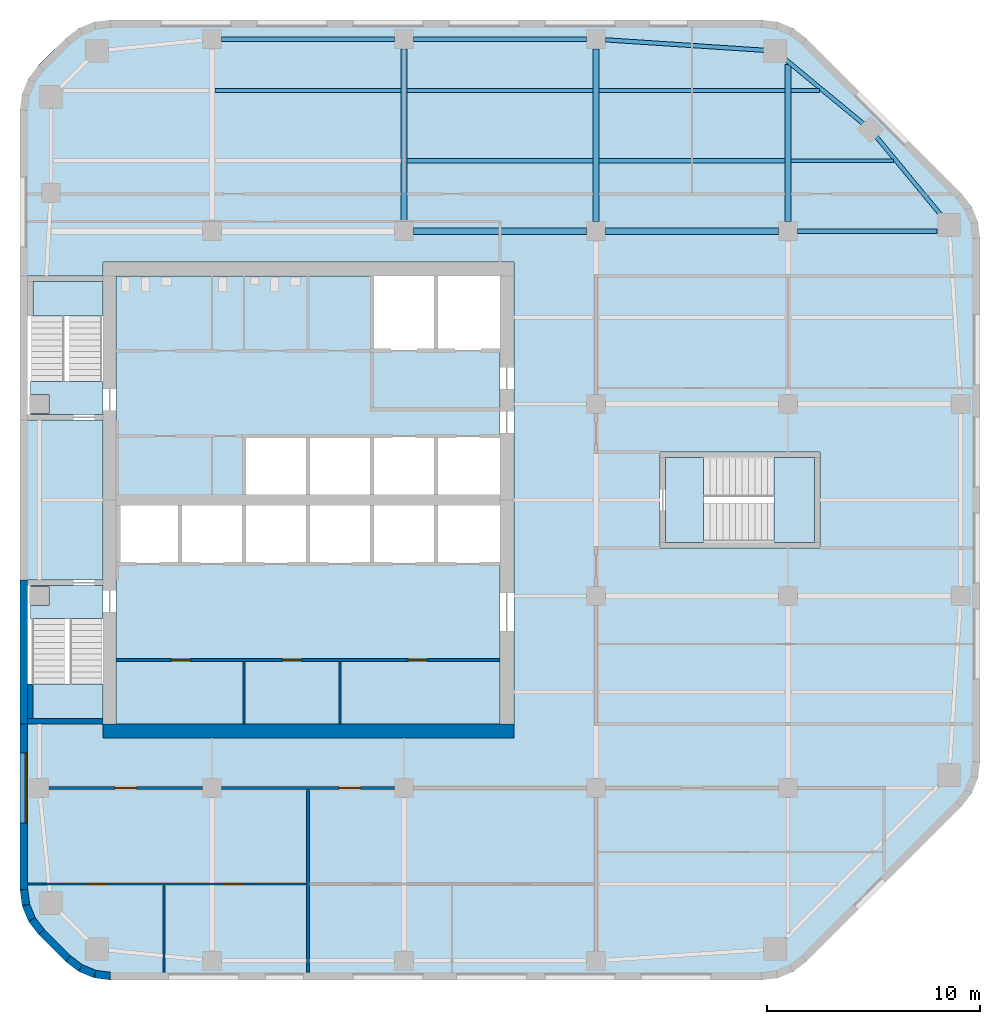
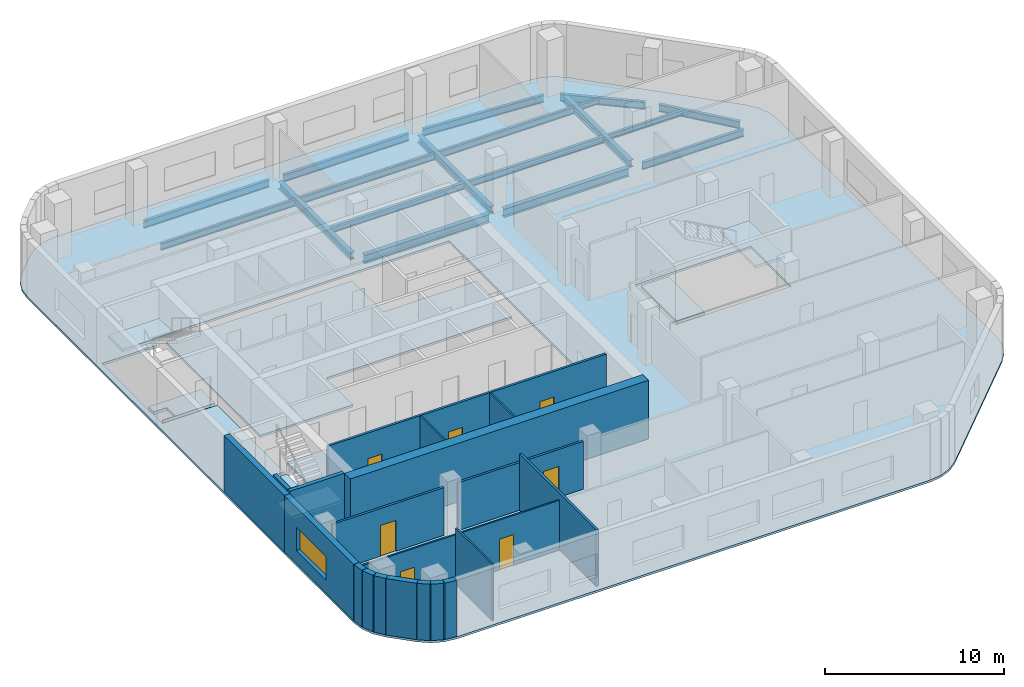
# One storey, part 2 of 8: 20 walls, 18 beams, 9 slabs, 7 doors, 1 window, 8 openings, 3 elements without a shape of their own.
"""IFC4 building model written with IfcOpenShell, lengths in metres."""

import ifcopenshell
import ifcopenshell.guid

model = None  # the IFC model being written
_history = None  # IfcOwnerHistory: only IFC2X3 demands one
_inside = {}  # id of a spatial element -> (the spatial element, [elements in it])
_under = {}  # id of a project, library or spatial element -> (it, [spatial elements below it])
_declared = {}  # id of a project -> (the project, [libraries it declares])
_typed = {}  # id of a type object -> (the type object, [elements of that type])
_made_of = {}  # id of a material, layer set ... -> (it, [elements and type objects made of it])


def new_model(schema):
    """Start an empty IFC model of exactly this schema.

    Asked for "IFC4X3", IfcOpenShell would pick the latest addendum, in which some entities
    have other attributes; the version numbers below select the first issue.
    IFC2X3 requires an IfcOwnerHistory on every rooted entity: one is made here for all.
    """
    global model, _history
    if schema == "IFC4X3":
        model = ifcopenshell.file(schema_version=(4, 3, 0, 0))
    else:
        model = ifcopenshell.file(schema=schema)
    _inside.clear()
    _under.clear()
    _declared.clear()
    _typed.clear()
    _made_of.clear()
    _history = None
    if model.schema == "IFC2X3":
        org = make("IfcOrganization", Name="unknown")
        user = make(
            "IfcPersonAndOrganization",
            ThePerson=make("IfcPerson", FamilyName="unknown"),
            TheOrganization=org,
        )
        app = make(
            "IfcApplication",
            ApplicationDeveloper=org,
            Version="unknown",
            ApplicationFullName="unknown",
            ApplicationIdentifier="unknown",
        )
        _history = make(
            "IfcOwnerHistory",
            OwningUser=user,
            OwningApplication=app,
            ChangeAction="ADDED",
            CreationDate=0,
        )
    return model


def make(cls, **values):
    """One entity of the class cls with the attributes given. An attribute that is None is left unset."""
    return model.create_entity(
        cls, **{name: value for name, value in values.items() if value is not None}
    )


def rooted(cls, **values):
    """An entity with a GlobalId (a new one), such as an element, a storey or a relation."""
    return make(cls, GlobalId=ifcopenshell.guid.new(), OwnerHistory=_history, **values)


def si_unit(unit_type, name, prefix=None):
    """IfcSIUnit, for example si_unit("LENGTHUNIT", "METRE", prefix="MILLI")."""
    return make("IfcSIUnit", UnitType=unit_type, Prefix=prefix, Name=name)


def assignment(units):
    """IfcUnitAssignment: the units of a project."""
    return None if units is None else make("IfcUnitAssignment", Units=units)


def point(xyz):
    """IfcCartesianPoint."""
    return None if xyz is None else make("IfcCartesianPoint", Coordinates=xyz)


def direction(xyz):
    """IfcDirection."""
    return None if xyz is None else make("IfcDirection", DirectionRatios=xyz)


def frame(location, z_axis=None, x_axis=None):
    """IfcAxis2Placement3D, a coordinate frame: its origin and axes. An axis left out is left unset."""
    return make(
        "IfcAxis2Placement3D",
        Location=point(location),
        Axis=direction(z_axis),
        RefDirection=direction(x_axis),
    )


def frame_2d(location, x_axis=None):
    """IfcAxis2Placement2D, a coordinate frame in the plane: its origin and x axis."""
    return make(
        "IfcAxis2Placement2D", Location=point(location), RefDirection=direction(x_axis)
    )


def origin():
    """The frame at (0, 0, 0) with its axes left unset."""
    return frame((0.0, 0.0, 0.0))


def origin_2d():
    """The frame at (0, 0) in the plane with its x axis left unset."""
    return frame_2d((0.0, 0.0))


def place(relative_to, where):
    """IfcLocalPlacement: puts the frame where relative to a parent placement (None: the world)."""
    return make(
        "IfcLocalPlacement", PlacementRelTo=relative_to, RelativePlacement=where
    )


def context(
    kind, dimensions, precision=None, world=None, true_north=None, identifier=None
):
    """IfcGeometricRepresentationContext, for example the 3D "Model" context."""
    return make(
        "IfcGeometricRepresentationContext",
        ContextIdentifier=identifier,
        ContextType=kind,
        CoordinateSpaceDimension=dimensions,
        Precision=precision,
        WorldCoordinateSystem=world,
        TrueNorth=true_north,
    )


def subcontext(parent, identifier, kind, view, scale=None):
    """IfcGeometricRepresentationSubContext, for example "Body" below "Model"."""
    return make(
        "IfcGeometricRepresentationSubContext",
        ContextIdentifier=identifier,
        ContextType=kind,
        ParentContext=parent,
        TargetScale=scale,
        TargetView=view,
    )


def project(units=None, contexts=None):
    """IfcProject with its units and contexts."""
    return rooted(
        "IfcProject",
        Name="project",
        RepresentationContexts=contexts,
        UnitsInContext=assignment(units),
    )


def spatial(cls, under=None, at=None, **own):
    """A site, building, storey or space (cls), placed at a placement, below another one or the project."""
    s = rooted(cls, ObjectPlacement=at, **own)
    if under is not None:
        _under.setdefault(under.id(), (under, []))[1].append(s)
    return s


def polyline(points):
    """IfcPolyline through the points."""
    return make("IfcPolyline", Points=[point(p) for p in points])


def profile(cls, at=None, kind="AREA", **sizes):
    """A parametric profile (cls). Its sizes go by their IFC names, for example OverallWidth=200.0."""
    return make(cls, ProfileType=kind, Position=at, **sizes)


def rectangle(**sizes):
    """IfcRectangleProfileDef."""
    return profile("IfcRectangleProfileDef", **sizes)


def i_section(**sizes):
    """IfcIShapeProfileDef."""
    return profile("IfcIShapeProfileDef", **sizes)


def outline(outer, holes=None, kind="AREA"):
    """IfcArbitraryClosedProfileDef: a profile drawn as a closed curve; with holes, ...WithVoids."""
    if holes is None:
        return make("IfcArbitraryClosedProfileDef", ProfileType=kind, OuterCurve=outer)
    return make(
        "IfcArbitraryProfileDefWithVoids",
        ProfileType=kind,
        OuterCurve=outer,
        InnerCurves=holes,
    )


def extrude(swept, where, along, depth):
    """IfcExtrudedAreaSolid: the profile swept, set in the frame where, extruded along a direction by depth."""
    return make(
        "IfcExtrudedAreaSolid",
        SweptArea=swept,
        Position=where,
        ExtrudedDirection=direction(along),
        Depth=depth,
    )


def shape(context_of_items, identifier, shape_type, items):
    """IfcShapeRepresentation: the items that make up one representation, for example the "Body"."""
    return make(
        "IfcShapeRepresentation",
        ContextOfItems=context_of_items,
        RepresentationIdentifier=identifier,
        RepresentationType=shape_type,
        Items=items,
    )


def material(Name=None, Category=None):
    """IfcMaterial."""
    return make("IfcMaterial", Name=Name, Category=Category)


def layer(
    of_material, thickness, ventilated=None, Name=None, Category=None, Priority=None
):
    """IfcMaterialLayer: one layer of a wall or slab, of a material (None: an air gap)."""
    return make(
        "IfcMaterialLayer",
        Material=of_material,
        LayerThickness=thickness,
        IsVentilated=ventilated,
        Name=Name,
        Category=Category,
        Priority=Priority,
    )


def layer_set(layers, Name=None):
    """IfcMaterialLayerSet."""
    return make("IfcMaterialLayerSet", MaterialLayers=layers, LayerSetName=Name)


def material_profile(
    of_material, cross_section, Name=None, Category=None, Priority=None
):
    """IfcMaterialProfile: a cross section and its material."""
    return make(
        "IfcMaterialProfile",
        Name=Name,
        Material=of_material,
        Profile=cross_section,
        Priority=Priority,
        Category=Category,
    )


def profile_set(profiles, Name=None, composite=None):
    """IfcMaterialProfileSet."""
    return make(
        "IfcMaterialProfileSet",
        Name=Name,
        MaterialProfiles=profiles,
        CompositeProfile=composite,
    )


def made_of(thing, what):
    """Note that an element or type object is made of a material, layer set ...; save() writes the relation."""
    if what is not None:
        _made_of.setdefault(what.id(), (what, []))[1].append(thing)
    return thing


def type_object(cls, material=None, **own):
    """A type object (cls), such as IfcWallType, which elements share."""
    return made_of(rooted(cls, **own), material)


def element(
    cls,
    number,
    at=None,
    inside=None,
    cuts=None,
    type_object=None,
    material=None,
    context=None,
    identifier="Body",
    shape_type=None,
    held_by="IfcProductDefinitionShape",
    body=None,
    shapes=None,
    **own,
):
    """One element of the class cls, such as IfcWall. Its Tag is "e" and its number.

    at: its placement. inside: the storey or other place that contains it. cuts: it is an
    opening in that element (IfcRelVoidsElement). A single representation is given by context,
    identifier, shape_type and body (its items); several are given by shapes. held_by: the class
    of the entity that holds the representations. save() writes the other relations.
    """
    e = rooted(cls, Tag="e%d" % number, ObjectPlacement=at, **own)
    if body is not None:
        shapes = [shape(context, identifier, shape_type, body)]
    if shapes is not None:
        e.Representation = make(held_by, Representations=shapes)
    if inside is not None:
        _inside.setdefault(inside.id(), (inside, []))[1].append(e)
    if cuts is not None:
        rooted(
            "IfcRelVoidsElement", RelatingBuildingElement=cuts, RelatedOpeningElement=e
        )
    if type_object is not None:
        _typed.setdefault(type_object.id(), (type_object, []))[1].append(e)
    return made_of(e, material)


def fill(opening, filler):
    """IfcRelFillsElement: the door or window that sits in an opening."""
    return rooted(
        "IfcRelFillsElement",
        RelatingOpeningElement=opening,
        RelatedBuildingElement=filler,
    )


def aggregate(whole, parts):
    """IfcRelAggregates: a whole, such as a stair, and the parts it consists of."""
    return rooted("IfcRelAggregates", RelatingObject=whole, RelatedObjects=parts)


def save(model, path):
    """Write the relations noted so far, then the file.

    IfcRelAggregates (storeys below a building ...), IfcRelContainedInSpatialStructure (elements
    in a storey), IfcRelDefinesByType, IfcRelAssociatesMaterial and IfcRelDeclares: one each for
    every whole, place, type object, material and project.
    """
    for whole, parts in _under.values():
        aggregate(whole, parts)
    for where, things in _inside.values():
        rooted(
            "IfcRelContainedInSpatialStructure",
            RelatedElements=things,
            RelatingStructure=where,
        )
    for kind, things in _typed.values():
        rooted("IfcRelDefinesByType", RelatedObjects=things, RelatingType=kind)
    for what, things in _made_of.values():
        rooted("IfcRelAssociatesMaterial", RelatedObjects=things, RelatingMaterial=what)
    for by, libraries in _declared.values():
        rooted("IfcRelDeclares", RelatingContext=by, RelatedDefinitions=libraries)
    model.write(path)


model = new_model("IFC4")

# Units and contexts
model_context = context("Model", 3, precision=1e-05, world=origin(), true_north=direction((0.0, 1.0)))
body_context = subcontext(model_context, "Body", "Model", "MODEL_VIEW")
ifc_project = project(units=[si_unit("LENGTHUNIT", "METRE"), si_unit("AREAUNIT", "SQUARE_METRE"), si_unit("VOLUMEUNIT", "CUBIC_METRE"), si_unit("PLANEANGLEUNIT", "RADIAN"), si_unit("MASSUNIT", "GRAM", prefix="KILO")], contexts=[model_context])

# Site, building, storey
site_placement = place(None, origin())
site = spatial("IfcSite", under=ifc_project, at=site_placement, CompositionType="ELEMENT")
building_placement = place(site_placement, origin())
building = spatial("IfcBuilding", under=site, at=building_placement, Name="Cinnabar Reach Civic Tower", CompositionType="ELEMENT")
storey_placement = place(building_placement, frame((0.0, 0.0, 177.0)))
storey = spatial("IfcBuildingStorey", under=building, at=storey_placement, Name="L42", CompositionType="ELEMENT", Elevation=177.0)

# Beams
ifc_material_1 = material(Name="Steel Q355B", Category="steel")
ifc_material_profile_1 = material_profile(ifc_material_1, i_section(OverallWidth=0.3, OverallDepth=0.488, WebThickness=0.011, FlangeThickness=0.018, FilletRadius=0.016, at=origin_2d()), Name="HM488x300x11x18")
ifc_profile_set_1 = profile_set([ifc_material_profile_1], Name="Steel Q355B")
beam_type_1 = type_object("IfcBeamType", Name="HM488x300x11x18 beam R 180", PredefinedType="BEAM", material=ifc_profile_set_1)
for number, where, z_axis, x_axis, name in (
    (1, (18.0, 44.552, -0.394), (0.0, 1.0, 0.0), (-1.0, 0.0, 0.0), "Girder T1 L42 6"),
    (2, (27.0, 44.552, -0.394), (0.0, 1.0, 0.0), (-1.0, 0.0, 0.0), "Girder T1 L42 11"),
):
    element("IfcBeam", number, at=place(storey_placement, frame(where, z_axis=z_axis, x_axis=x_axis)), inside=storey, type_object=beam_type_1, Name=name, PredefinedType="BEAM", context=body_context, shape_type="SweptSolid", body=[
        extrude(i_section(OverallWidth=0.3, OverallDepth=0.488, WebThickness=0.011, FlangeThickness=0.018, FilletRadius=0.016, at=origin_2d()), origin(), (0.0, 0.0, 1.0), 8.096),
    ])
beam_1_placement = place(storey_placement, frame((36.0, 44.552, -0.394), z_axis=(0.0, 1.0, 0.0), x_axis=(-1.0, 0.0, 0.0)))
element("IfcBeam", 3, at=beam_1_placement, inside=storey, type_object=beam_type_1, Name="Girder T1 L42 17", PredefinedType="BEAM", context=body_context, shape_type="SweptSolid", body=[
    extrude(i_section(OverallWidth=0.3, OverallDepth=0.488, WebThickness=0.011, FlangeThickness=0.018, FilletRadius=0.016, at=origin_2d()), origin(), (0.0, 0.0, 1.0), 7.3662),
])
ifc_material_profile_2 = material_profile(ifc_material_1, i_section(OverallWidth=0.3, OverallDepth=0.588, WebThickness=0.012, FlangeThickness=0.02, FilletRadius=0.016, at=origin_2d()), Name="HM588x300x12x20")
ifc_profile_set_2 = profile_set([ifc_material_profile_2], Name="Steel Q355B")
beam_type_2 = type_object("IfcBeamType", Name="HM588x300x12x20 beam R 180", PredefinedType="BEAM", material=ifc_profile_set_2)
for number, where, z_axis, x_axis, name in (
    (4, (18.452, 44.1, -0.444), (1.0, 0.0, 0.0), (0.0, 1.0, 0.0), "Girder T1 L42 14"),
    (5, (27.452, 44.1, -0.444), (1.0, 0.0, 0.0), (0.0, 1.0, 0.0), "Girder T1 L42 15"),
):
    element("IfcBeam", number, at=place(storey_placement, frame(where, z_axis=z_axis, x_axis=x_axis)), inside=storey, type_object=beam_type_2, Name=name, PredefinedType="BEAM", context=body_context, shape_type="SweptSolid", body=[
        extrude(i_section(OverallWidth=0.3, OverallDepth=0.588, WebThickness=0.012, FlangeThickness=0.02, FilletRadius=0.016, at=origin_2d()), origin(), (0.0, 0.0, 1.0), 8.096),
    ])
ifc_material_profile_3 = material_profile(ifc_material_1, i_section(OverallWidth=0.175, OverallDepth=0.35, WebThickness=0.007, FlangeThickness=0.011, FilletRadius=0.013, at=origin_2d()), Name="HN350x175x7x11")
ifc_profile_set_3 = profile_set([ifc_material_profile_3], Name="Steel Q355B")
beam_type_3 = type_object("IfcBeamType", Name="HN350x175x7x11 beam R 180", PredefinedType="BEAM", material=ifc_profile_set_3)
beam_2_placement = place(storey_placement, frame((36.152, 47.4, -0.325), z_axis=(1.0, 0.0, 0.0), x_axis=(0.0, 1.0, 0.0)))
element("IfcBeam", 6, at=beam_2_placement, inside=storey, type_object=beam_type_3, Name="Secondary beam T1 L42 20", PredefinedType="BEAM", context=body_context, shape_type="SweptSolid", body=[
    extrude(i_section(OverallWidth=0.175, OverallDepth=0.35, WebThickness=0.007, FlangeThickness=0.011, FilletRadius=0.013, at=origin_2d()), origin(), (0.0, 0.0, 1.0), 4.7866),
])
beam_3_placement = place(storey_placement, frame((36.152, 50.7, -0.325), z_axis=(1.0, 0.0, 0.0), x_axis=(0.0, 1.0, 0.0)))
element("IfcBeam", 7, at=beam_3_placement, inside=storey, type_object=beam_type_3, Name="Secondary beam T1 L42 25", PredefinedType="BEAM", context=body_context, shape_type="SweptSolid", body=[
    extrude(i_section(OverallWidth=0.175, OverallDepth=0.35, WebThickness=0.007, FlangeThickness=0.011, FilletRadius=0.013, at=origin_2d()), origin(), (0.0, 0.0, 1.0), 1.3249),
])
ifc_material_profile_4 = material_profile(ifc_material_1, i_section(OverallWidth=0.2, OverallDepth=0.45, WebThickness=0.009, FlangeThickness=0.014, FilletRadius=0.016, at=origin_2d()), Name="HN450x200x9x14")
ifc_profile_set_4 = profile_set([ifc_material_profile_4], Name="Steel Q355B")
beam_type_4 = type_object("IfcBeamType", Name="HN450x200x9x14 beam R 180", PredefinedType="BEAM", material=ifc_profile_set_4)
for number, where, z_axis, x_axis, name in (
    (8, (18.152, 47.4, -0.375), (1.0, 0.0, 0.0), (0.0, 1.0, 0.0), "Secondary beam T1 L42 18"),
    (9, (27.152, 47.4, -0.375), (1.0, 0.0, 0.0), (0.0, 1.0, 0.0), "Secondary beam T1 L42 19"),
    (10, (9.152, 50.7, -0.375), (1.0, 0.0, 0.0), (0.0, 1.0, 0.0), "Secondary beam T1 L42 22"),
    (11, (18.152, 50.7, -0.375), (1.0, 0.0, 0.0), (0.0, 1.0, 0.0), "Secondary beam T1 L42 23"),
    (12, (27.152, 50.7, -0.375), (1.0, 0.0, 0.0), (0.0, 1.0, 0.0), "Secondary beam T1 L42 24"),
):
    element("IfcBeam", number, at=place(storey_placement, frame(where, z_axis=z_axis, x_axis=x_axis)), inside=storey, type_object=beam_type_4, Name=name, PredefinedType="BEAM", context=body_context, shape_type="SweptSolid", body=[
        extrude(i_section(OverallWidth=0.2, OverallDepth=0.45, WebThickness=0.009, FlangeThickness=0.014, FilletRadius=0.016, at=origin_2d()), origin(), (0.0, 0.0, 1.0), 8.696),
    ])
ifc_material_profile_5 = material_profile(ifc_material_1, i_section(OverallWidth=0.2, OverallDepth=0.5, WebThickness=0.01, FlangeThickness=0.016, FilletRadius=0.016, at=origin_2d()), Name="HN500x200x10x16")
ifc_profile_set_5 = profile_set([ifc_material_profile_5], Name="Steel Q355B")
beam_type_5 = type_object("IfcBeamType", Name="HN500x200x10x16 beam R 180", PredefinedType="BEAM", material=ifc_profile_set_5)
for number, where, z_axis, x_axis, name in (
    (13, (43.1906, 44.8301, -0.4), (-0.63630880182, 0.771434448755, 0.0), (-0.771434448755, -0.63630880182, 0.0), "Edge beam T1 L42 9"),
    (14, (39.5598, 49.1142, -0.4), (-0.771434448755, 0.63630880182, 0.0), (-0.63630880182, -0.771434448755, 0.0), "Edge beam T1 L42 10"),
):
    element("IfcBeam", number, at=place(storey_placement, frame(where, z_axis=z_axis, x_axis=x_axis)), inside=storey, type_object=beam_type_5, Name=name, PredefinedType="BEAM", context=body_context, shape_type="SweptSolid", body=[
        extrude(i_section(OverallWidth=0.2, OverallDepth=0.5, WebThickness=0.01, FlangeThickness=0.016, FilletRadius=0.016, at=origin_2d()), origin(), (0.0, 0.0, 1.0), 4.8348),
    ])
beam_4_placement = place(storey_placement, frame((34.9661, 52.5754, -0.4), z_axis=(-0.99783894477, 0.065707231721, 0.0), x_axis=(-0.065707231721, -0.99783894477, 0.0)))
element("IfcBeam", 15, at=beam_4_placement, inside=storey, type_object=beam_type_5, Name="Edge beam T1 L42 11", PredefinedType="BEAM", context=body_context, shape_type="SweptSolid", body=[
    extrude(i_section(OverallWidth=0.2, OverallDepth=0.5, WebThickness=0.01, FlangeThickness=0.016, FilletRadius=0.016, at=origin_2d()), origin(), (0.0, 0.0, 1.0), 7.5304),
])
for number, where, z_axis, x_axis, name in (
    (16, (26.548, 53.1, -0.4), (-1.0, 0.0, 0.0), (0.0, -1.0, 0.0), "Edge beam T1 L42 12"),
    (17, (17.548, 53.1, -0.4), (-1.0, 0.0, 0.0), (0.0, -1.0, 0.0), "Edge beam T1 L42 13"),
):
    element("IfcBeam", number, at=place(storey_placement, frame(where, z_axis=z_axis, x_axis=x_axis)), inside=storey, type_object=beam_type_5, Name=name, PredefinedType="BEAM", context=body_context, shape_type="SweptSolid", body=[
        extrude(i_section(OverallWidth=0.2, OverallDepth=0.5, WebThickness=0.01, FlangeThickness=0.016, FilletRadius=0.016, at=origin_2d()), origin(), (0.0, 0.0, 1.0), 8.096),
    ])
beam_5_placement = place(storey_placement, frame((36.452, 44.1, -0.4), z_axis=(1.0, 0.0, 0.0), x_axis=(0.0, 1.0, 0.0)))
element("IfcBeam", 18, at=beam_5_placement, inside=storey, type_object=beam_type_5, Name="Girder T1 L42 16", PredefinedType="BEAM", context=body_context, shape_type="SweptSolid", body=[
    extrude(i_section(OverallWidth=0.2, OverallDepth=0.5, WebThickness=0.01, FlangeThickness=0.016, FilletRadius=0.016, at=origin_2d()), origin(), (0.0, 0.0, 1.0), 6.5429),
])

# Slab
ifc_material_2 = material(Name="Concrete C40", Category="concrete")
ifc_layer_1 = layer(ifc_material_2, 0.15)
ifc_layer_set_1 = layer_set([ifc_layer_1], Name="Composite floor slab 150 REI 150")
slab_type_1 = type_object("IfcSlabType", Name="Composite floor slab 150 REI 150", PredefinedType="FLOOR", material=ifc_layer_set_1)
slab_1_placement = place(storey_placement, frame((0.0, 0.0, -0.15)))
element("IfcSlab", 19, at=slab_1_placement, inside=storey, type_object=slab_type_1, Name="Composite floor slab 150 T1 L42", PredefinedType="FLOOR", context=body_context, shape_type="SweptSolid", body=[
    extrude(outline(polyline([(0.8787, 11.1213), (0.4019, 11.7426), (0.1022, 12.4662), (0.0, 13.2426), (0.0, 49.7574), (0.1022, 50.5338), (0.4019, 51.2574), (0.8787, 51.8787), (2.1213, 53.1213), (2.7426, 53.5981), (3.4662, 53.8978), (4.2426, 54.0), (34.7574, 54.0), (35.5338, 53.8978), (36.2574, 53.5981), (36.8787, 53.1213), (44.1213, 45.8787), (44.5981, 45.2574), (44.8978, 44.5338), (45.0, 43.7574), (45.0, 19.2426), (44.8978, 18.4662), (44.5981, 17.7426), (44.1213, 17.1213), (36.8787, 9.8787), (36.2574, 9.4019), (35.5338, 9.1022), (34.7574, 9.0), (4.2426, 9.0), (3.4662, 9.1022), (2.7426, 9.4019), (2.1213, 9.8787), (0.8787, 11.1213)]), holes=[polyline([(0.36, 21.0), (3.9, 21.0), (3.9, 20.35), (23.15, 20.35), (23.15, 42.65), (3.9, 42.65), (3.9, 42.0), (0.36, 42.0), (0.36, 35.25), (3.9, 35.25), (3.9, 27.75), (0.36, 27.75), (0.36, 21.0)]), polyline([(30.0, 33.75), (30.0, 29.25), (37.5, 29.25), (37.5, 33.75), (30.0, 33.75)])]), origin(), (0.0, 0.0, 1.0), 0.15),
])

# Stair, slabs
ifc_material_3 = material(Name="Concrete C40/50", Category="concrete")
stair_type = type_object("IfcStairType", Name="T1 Exit stair, half-turn", PredefinedType="HALF_TURN_STAIR", material=ifc_material_3)
stair_1_placement = place(storey_placement, origin())
stair_1 = element("IfcStair", 20, at=stair_1_placement, inside=storey, type_object=stair_type, Name="Stair T1-S1", PredefinedType="HALF_TURN_STAIR")
ifc_layer_2 = layer(ifc_material_3, 0.2)
ifc_layer_set_2 = layer_set([ifc_layer_2], Name="T1 Stair landing 200, Concrete C40/50")
slab_type_2 = type_object("IfcSlabType", Name="T1 Stair landing 200, Concrete C40/50", PredefinedType="LANDING", material=ifc_layer_set_2)
slab_2_placement = place(storey_placement, frame((0.0, 0.0, -0.2)))
slab_2 = element("IfcSlab", 21, at=slab_2_placement, type_object=slab_type_2, Name="T1-S1 landing 1", PredefinedType="LANDING", context=body_context, shape_type="SweptSolid", body=[
    extrude(outline(polyline([(0.5, 27.5), (3.9, 27.5), (3.9, 25.95), (0.5, 25.95), (0.5, 26.55), (1.35, 26.55), (1.35, 27.45), (0.5, 27.45), (0.5, 27.5)])), origin(), (0.0, 0.0, 1.0), 0.2),
])
slab_3_placement = place(storey_placement, frame((0.0, 0.0, 1.8)))
slab_3 = element("IfcSlab", 22, at=slab_3_placement, type_object=slab_type_2, Name="T1-S1 landing 2", PredefinedType="LANDING", context=body_context, shape_type="SweptSolid", body=[
    extrude(outline(polyline([(0.6, 21.25), (0.6, 22.87), (3.9, 22.87), (3.9, 21.25), (0.6, 21.25)])), origin(), (0.0, 0.0, 1.0), 0.2),
])
aggregate(stair_1, [slab_2, slab_3])

stair_2_placement = place(storey_placement, origin())
stair_2 = element("IfcStair", 23, at=stair_2_placement, inside=storey, type_object=stair_type, Name="Stair T1-S2", PredefinedType="HALF_TURN_STAIR")
slab_4_placement = place(storey_placement, frame((0.0, 0.0, -0.2)))
slab_4 = element("IfcSlab", 24, at=slab_4_placement, type_object=slab_type_2, Name="T1-S2 landing 1", PredefinedType="LANDING", context=body_context, shape_type="SweptSolid", body=[
    extrude(outline(polyline([(0.5, 37.05), (3.9, 37.05), (3.9, 35.5), (0.5, 35.5), (0.5, 35.55), (1.35, 35.55), (1.35, 36.45), (0.5, 36.45), (0.5, 37.05)])), origin(), (0.0, 0.0, 1.0), 0.2),
])
slab_5_placement = place(storey_placement, frame((0.0, 0.0, 1.8)))
slab_5 = element("IfcSlab", 25, at=slab_5_placement, type_object=slab_type_2, Name="T1-S2 landing 2", PredefinedType="LANDING", context=body_context, shape_type="SweptSolid", body=[
    extrude(outline(polyline([(0.6, 40.13), (0.6, 41.75), (3.9, 41.75), (3.9, 40.13), (0.6, 40.13)])), origin(), (0.0, 0.0, 1.0), 0.2),
])
aggregate(stair_2, [slab_4, slab_5])

stair_3_placement = place(storey_placement, origin())
stair_3 = element("IfcStair", 26, at=stair_3_placement, inside=storey, type_object=stair_type, Name="Stair T1-S3", PredefinedType="HALF_TURN_STAIR")
slab_6_placement = place(storey_placement, frame((0.0, 0.0, -0.2)))
slab_6 = element("IfcSlab", 27, at=slab_6_placement, type_object=slab_type_2, Name="T1-S3 landing 1", PredefinedType="LANDING", context=body_context, shape_type="SweptSolid", body=[
    extrude(outline(polyline([(30.25, 29.5), (32.05, 29.5), (32.05, 33.5), (30.25, 33.5), (30.25, 29.5)])), origin(), (0.0, 0.0, 1.0), 0.2),
])
slab_7_placement = place(storey_placement, frame((0.0, 0.0, 1.8)))
slab_7 = element("IfcSlab", 28, at=slab_7_placement, type_object=slab_type_2, Name="T1-S3 landing 2", PredefinedType="LANDING", context=body_context, shape_type="SweptSolid", body=[
    extrude(outline(polyline([(35.35, 29.5), (37.25, 29.5), (37.25, 33.5), (35.35, 33.5), (35.35, 29.5)])), origin(), (0.0, 0.0, 1.0), 0.2),
])
aggregate(stair_3, [slab_6, slab_7])

# Slabs
ifc_layer_3 = layer(ifc_material_3, 0.15)
ifc_layer_set_3 = layer_set([ifc_layer_3], Name="T1 core floor slab 150")
slab_type_3 = type_object("IfcSlabType", Name="T1 core floor slab 150", PredefinedType="FLOOR", material=ifc_layer_set_3)
slab_8_placement = place(storey_placement, frame((0.0, 0.0, -0.15)))
element("IfcSlab", 29, at=slab_8_placement, inside=storey, type_object=slab_type_3, Name="Core floor slab L42", PredefinedType="FLOOR", context=body_context, shape_type="SweptSolid", body=[
    extrude(outline(polyline([(22.5, 21.0), (4.5, 21.0), (4.5, 28.5), (7.5, 28.5), (10.5, 28.5), (13.5, 28.5), (16.5, 28.5), (19.5, 28.5), (22.5, 28.5), (22.5, 21.0)])), origin(), (0.0, 0.0, 1.0), 0.15),
])
slab_9_placement = place(storey_placement, frame((0.0, 0.0, -0.15)))
element("IfcSlab", 30, at=slab_9_placement, inside=storey, type_object=slab_type_3, Name="Core floor slab L42", PredefinedType="FLOOR", context=body_context, shape_type="SweptSolid", body=[
    extrude(outline(polyline([(22.5, 34.5), (19.5, 34.5), (16.5, 34.5), (13.5, 34.5), (10.5, 34.5), (10.5, 31.5), (7.5, 31.5), (4.5, 31.5), (4.5, 42.0), (16.5, 42.0), (16.5, 38.5), (19.5, 38.5), (22.5, 38.5), (22.5, 34.5)])), origin(), (0.0, 0.0, 1.0), 0.15),
])

# Walls
ifc_material_4 = material(Name="Facing brick with insulated backing", Category="masonry")
ifc_layer_4 = layer(ifc_material_4, 0.36)
ifc_layer_set_4 = layer_set([ifc_layer_4], Name="Brick corner wall")
wall_type_1 = type_object("IfcWallType", Name="Brick corner wall", PredefinedType="STANDARD", material=ifc_layer_set_4)
for number, where, z_axis, x_axis, name in (
    (31, (0.183, 13.2314, 0.0), (0.0, 0.0, 1.0), (0.13055608231, -0.99144092581, 0.0), "Brick corner wall"),
    (32, (0.2819, 12.5027, 0.0), (0.0, 0.0, 1.0), (0.382702709855, -0.923871547278, 0.0), "Brick corner wall"),
):
    element("IfcWall", number, at=place(storey_placement, frame(where, z_axis=z_axis, x_axis=x_axis)), inside=storey, type_object=wall_type_1, Name=name, PredefinedType="STANDARD", context=body_context, shape_type="SweptSolid", body=[
        extrude(rectangle(XDim=0.7131, YDim=0.36, at=frame_2d((0.3565, 0.0))), origin(), (0.0, 0.0, 1.0), 3.85),
    ])
for number, where, z_axis, x_axis, name in (
    (33, (0.566, 11.8245, 0.0), (0.0, 0.0, 1.0), (0.608802368033, -0.793321924995, 0.0), "Brick corner wall"),
    (34, (2.2587, 10.0002, 0.0), (0.0, 0.0, 1.0), (0.793321924995, -0.608802368033, 0.0), "Brick corner wall"),
):
    element("IfcWall", number, at=place(storey_placement, frame(where, z_axis=z_axis, x_axis=x_axis)), inside=storey, type_object=wall_type_1, Name=name, PredefinedType="STANDARD", context=body_context, shape_type="SweptSolid", body=[
        extrude(rectangle(XDim=0.7132, YDim=0.36, at=frame_2d((0.3566, 0.0))), origin(), (0.0, 0.0, 1.0), 3.85),
    ])
for number, where, z_axis, x_axis, name in (
    (35, (2.8439, 9.5548, 0.0), (0.0, 0.0, 1.0), (0.923871547278, -0.382702709855, 0.0), "Brick corner wall"),
    (36, (3.5244, 9.2761, 0.0), (0.0, 0.0, 1.0), (0.99144092581, -0.13055608231, 0.0), "Brick corner wall"),
):
    element("IfcWall", number, at=place(storey_placement, frame(where, z_axis=z_axis, x_axis=x_axis)), inside=storey, type_object=wall_type_1, Name=name, PredefinedType="STANDARD", context=body_context, shape_type="SweptSolid", body=[
        extrude(rectangle(XDim=0.7131, YDim=0.36, at=frame_2d((0.3565, 0.0))), origin(), (0.0, 0.0, 1.0), 3.85),
    ])
ifc_layer_5 = layer(ifc_material_4, 0.36)
ifc_layer_set_5 = layer_set([ifc_layer_5], Name="Brick pier and spandrel wall")
wall_type_2 = type_object("IfcWallType", Name="Brick pier and spandrel wall", PredefinedType="STANDARD", material=ifc_layer_set_5)
wall_1_placement = place(storey_placement, frame((0.18, 27.75, 0.0), z_axis=(0.0, 0.0, 1.0), x_axis=(0.0, -1.0, 0.0)))
element("IfcWall", 37, at=wall_1_placement, inside=storey, type_object=wall_type_2, Name="Brick facade wall", PredefinedType="STANDARD", context=body_context, shape_type="SweptSolid", body=[
    extrude(rectangle(XDim=6.75, YDim=0.36, at=frame_2d((3.375, 0.0))), origin(), (0.0, 0.0, 1.0), 3.85),
])

# Wall, opening, window
wall_2_placement = place(storey_placement, frame((0.18, 21.0, 0.0), z_axis=(0.0, 0.0, 1.0), x_axis=(0.0, -1.0, 0.0)))
wall_2 = element("IfcWall", 38, at=wall_2_placement, inside=storey, type_object=wall_type_2, Name="Brick facade wall", PredefinedType="STANDARD", context=body_context, shape_type="SweptSolid", body=[
    extrude(rectangle(XDim=7.7574, YDim=0.36, at=frame_2d((3.8787, 0.0))), origin(), (0.0, 0.0, 1.0), 3.85),
])
opening_1_placement = place(wall_2_placement, frame((1.35, 0.0, 0.9)))
opening_1 = element("IfcOpeningElement", 39, at=opening_1_placement, cuts=wall_2, Name="Opening W1880", PredefinedType="OPENING", context=body_context, shape_type="SweptSolid", body=[
    extrude(rectangle(XDim=3.3, YDim=1.6, at=frame_2d((1.65, 0.8))), frame((0.0, 0.19, 0.0), z_axis=(0.0, -1.0, 0.0), x_axis=(1.0, 0.0, 0.0)), (0.0, 0.0, 1.0), 0.38),
])
ifc_material_5 = material(Name="Clear double glazing in aluminium frame", Category="aluminium")
window_type = type_object("IfcWindowType", Name="Deep-set window A", PartitioningType="SINGLE_PANEL", PredefinedType="WINDOW", material=ifc_material_5)
window_placement = place(opening_1_placement, origin())
window = element("IfcWindow", 40, at=window_placement, inside=storey, type_object=window_type, Name="Window west face", OverallHeight=1.6, OverallWidth=3.3, PartitioningType="SINGLE_PANEL", PredefinedType="WINDOW", context=body_context, shape_type="SweptSolid", body=[
    extrude(rectangle(XDim=3.3, YDim=1.6, at=frame_2d((1.65, 0.8))), frame((0.0, 0.13, 0.0), z_axis=(0.0, -1.0, 0.0), x_axis=(1.0, 0.0, 0.0)), (0.0, 0.0, 1.0), 0.06),
])
fill(opening_1, window)

# Walls
wall_3_placement = place(storey_placement, frame((1.006, 11.2486, 0.0), z_axis=(0.0, 0.0, 1.0), x_axis=(0.707106781187, -0.707106781187, 0.0)))
element("IfcWall", 41, at=wall_3_placement, inside=storey, type_object=wall_type_2, Name="Brick facade wall", PredefinedType="STANDARD", context=body_context, shape_type="SweptSolid", body=[
    extrude(rectangle(XDim=1.7573, YDim=0.36, at=frame_2d((0.8787, 0.0))), origin(), (0.0, 0.0, 1.0), 3.85),
])
ifc_material_6 = material(Name="Concrete C70", Category="concrete")
ifc_layer_6 = layer(ifc_material_6, 0.65)
ifc_layer_set_6 = layer_set([ifc_layer_6], Name="Core wall 650 EI 180")
wall_type_3 = type_object("IfcWallType", Name="Core wall 650 EI 180", PredefinedType="SOLIDWALL", material=ifc_layer_set_6)
wall_4_placement = place(storey_placement, frame((3.9, 20.675, 0.0), z_axis=(0.0, 0.0, 1.0), x_axis=(1.0, 0.0, 0.0)))
element("IfcWall", 42, at=wall_4_placement, inside=storey, type_object=wall_type_3, Name="Core wall T1 L42 S", PredefinedType="SOLIDWALL", context=body_context, shape_type="SweptSolid", body=[
    extrude(rectangle(XDim=19.25, YDim=0.65, at=frame_2d((9.625, 0.0))), origin(), (0.0, 0.0, 1.0), 4.0),
])

# Wall, opening, door
ifc_material_7 = material(Name="Gypsum board on steel studs, double layer", Category="steel")
ifc_layer_7 = layer(ifc_material_7, 0.15)
ifc_layer_set_7 = layer_set([ifc_layer_7], Name="Corridor wall 150 T1")
wall_type_4 = type_object("IfcWallType", Name="Corridor wall 150 T1", PredefinedType="PARTITIONING", material=ifc_layer_set_7)
wall_5_placement = place(storey_placement, frame((1.35, 18.0, 0.0), z_axis=(0.0, 0.0, 1.0), x_axis=(1.0, 0.0, 0.0)))
wall_5 = element("IfcWall", 43, at=wall_5_placement, inside=storey, type_object=wall_type_4, Name="Corridor wall 20", PredefinedType="PARTITIONING", context=body_context, shape_type="SweptSolid", body=[
    extrude(rectangle(XDim=7.2, YDim=0.15, at=frame_2d((3.6, 0.0))), origin(), (0.0, 0.0, 1.0), 3.262),
])
opening_2_placement = place(wall_5_placement, frame((3.1, 0.0, 0.0)))
opening_2 = element("IfcOpeningElement", 44, at=opening_2_placement, cuts=wall_5, Name="Opening D4740", PredefinedType="OPENING", context=body_context, shape_type="SweptSolid", body=[
    extrude(rectangle(XDim=1.0, YDim=2.1, at=frame_2d((0.5, 1.05))), frame((0.0, 0.085, 0.0), z_axis=(0.0, -1.0, 0.0), x_axis=(1.0, 0.0, 0.0)), (0.0, 0.0, 1.0), 0.17),
])
ifc_material_8 = material(Name="Timber door leaf in steel frame", Category="steel")
door_type_1 = type_object("IfcDoorType", Name="Tenancy entrance door 1000 x 2100 T1", OperationType="SINGLE_SWING_LEFT", PredefinedType="DOOR", material=ifc_material_8)
door_1_placement = place(opening_2_placement, frame((1.0, 0.0, 0.0), z_axis=(0.0, 0.0, 1.0), x_axis=(-1.0, 0.0, 0.0)))
door_1 = element("IfcDoor", 45, at=door_1_placement, inside=storey, type_object=door_type_1, Name="Door D4740", OperationType="SINGLE_SWING_LEFT", OverallHeight=2.1, OverallWidth=1.0, PredefinedType="DOOR", context=body_context, shape_type="SweptSolid", body=[
    extrude(rectangle(XDim=1.0, YDim=2.1, at=frame_2d((0.5, 1.05))), frame((0.0, 0.025, 0.0), z_axis=(0.0, -1.0, 0.0), x_axis=(1.0, 0.0, 0.0)), (0.0, 0.0, 1.0), 0.05),
])
fill(opening_2, door_1)

wall_6_placement = place(storey_placement, frame((9.45, 18.0, 0.0), z_axis=(0.0, 0.0, 1.0), x_axis=(1.0, 0.0, 0.0)))
wall_6 = element("IfcWall", 46, at=wall_6_placement, inside=storey, type_object=wall_type_4, Name="Corridor wall 21", PredefinedType="PARTITIONING", context=body_context, shape_type="SweptSolid", body=[
    extrude(rectangle(XDim=8.1, YDim=0.15, at=frame_2d((4.05, 0.0))), origin(), (0.0, 0.0, 1.0), 3.262),
])
opening_3_placement = place(wall_6_placement, frame((5.5, 0.0, 0.0)))
opening_3 = element("IfcOpeningElement", 47, at=opening_3_placement, cuts=wall_6, Name="Opening D4743", PredefinedType="OPENING", context=body_context, shape_type="SweptSolid", body=[
    extrude(rectangle(XDim=1.0, YDim=2.1, at=frame_2d((0.5, 1.05))), frame((0.0, 0.085, 0.0), z_axis=(0.0, -1.0, 0.0), x_axis=(1.0, 0.0, 0.0)), (0.0, 0.0, 1.0), 0.17),
])
door_2_placement = place(opening_3_placement, frame((1.0, 0.0, 0.0), z_axis=(0.0, 0.0, 1.0), x_axis=(-1.0, 0.0, 0.0)))
door_2 = element("IfcDoor", 48, at=door_2_placement, inside=storey, type_object=door_type_1, Name="Door D4743", OperationType="SINGLE_SWING_LEFT", OverallHeight=2.1, OverallWidth=1.0, PredefinedType="DOOR", context=body_context, shape_type="SweptSolid", body=[
    extrude(rectangle(XDim=1.0, YDim=2.1, at=frame_2d((0.5, 1.05))), frame((0.0, 0.025, 0.0), z_axis=(0.0, -1.0, 0.0), x_axis=(1.0, 0.0, 0.0)), (0.0, 0.0, 1.0), 0.05),
])
fill(opening_3, door_2)

# Wall, openings, doors
wall_7_placement = place(storey_placement, frame((4.5, 24.0, 0.0), z_axis=(0.0, 0.0, 1.0), x_axis=(1.0, 0.0, 0.0)))
wall_7 = element("IfcWall", 49, at=wall_7_placement, inside=storey, type_object=wall_type_4, Name="Corridor wall 26", PredefinedType="PARTITIONING", context=body_context, shape_type="SweptSolid", body=[
    extrude(rectangle(XDim=18.0, YDim=0.15, at=frame_2d((9.0, 0.0))), origin(), (0.0, 0.0, 1.0), 3.85),
])
opening_4_placement = place(wall_7_placement, frame((2.6, 0.0, 0.0)))
opening_4 = element("IfcOpeningElement", 50, at=opening_4_placement, cuts=wall_7, Name="Opening D4726", PredefinedType="OPENING", context=body_context, shape_type="SweptSolid", body=[
    extrude(rectangle(XDim=0.9, YDim=2.1, at=frame_2d((0.45, 1.05))), frame((0.0, 0.085, 0.0), z_axis=(0.0, -1.0, 0.0), x_axis=(1.0, 0.0, 0.0)), (0.0, 0.0, 1.0), 0.17),
])
opening_5_placement = place(wall_7_placement, frame((7.8, 0.0, 0.0)))
opening_5 = element("IfcOpeningElement", 51, at=opening_5_placement, cuts=wall_7, Name="Opening D4727", PredefinedType="OPENING", context=body_context, shape_type="SweptSolid", body=[
    extrude(rectangle(XDim=0.9, YDim=2.1, at=frame_2d((0.45, 1.05))), frame((0.0, 0.085, 0.0), z_axis=(0.0, -1.0, 0.0), x_axis=(1.0, 0.0, 0.0)), (0.0, 0.0, 1.0), 0.17),
])
opening_6_placement = place(wall_7_placement, frame((13.7, 0.0, 0.0)))
opening_6 = element("IfcOpeningElement", 52, at=opening_6_placement, cuts=wall_7, Name="Opening D4728", PredefinedType="OPENING", context=body_context, shape_type="SweptSolid", body=[
    extrude(rectangle(XDim=0.9, YDim=2.1, at=frame_2d((0.45, 1.05))), frame((0.0, 0.085, 0.0), z_axis=(0.0, -1.0, 0.0), x_axis=(1.0, 0.0, 0.0)), (0.0, 0.0, 1.0), 0.17),
])
door_type_2 = type_object("IfcDoorType", Name="Single swing door 900 x 2100 corridor T1", OperationType="SINGLE_SWING_LEFT", PredefinedType="DOOR", material=ifc_material_8)
door_3_placement = place(opening_4_placement, frame((0.9, 0.0, 0.0), z_axis=(0.0, 0.0, 1.0), x_axis=(-1.0, 0.0, 0.0)))
door_3 = element("IfcDoor", 53, at=door_3_placement, inside=storey, type_object=door_type_2, Name="Door D4726", OperationType="SINGLE_SWING_LEFT", OverallHeight=2.1, OverallWidth=0.9, PredefinedType="DOOR", context=body_context, shape_type="SweptSolid", body=[
    extrude(rectangle(XDim=0.9, YDim=2.1, at=frame_2d((0.45, 1.05))), frame((0.0, 0.025, 0.0), z_axis=(0.0, -1.0, 0.0), x_axis=(1.0, 0.0, 0.0)), (0.0, 0.0, 1.0), 0.05),
])
fill(opening_4, door_3)
door_4_placement = place(opening_5_placement, frame((0.9, 0.0, 0.0), z_axis=(0.0, 0.0, 1.0), x_axis=(-1.0, 0.0, 0.0)))
door_4 = element("IfcDoor", 54, at=door_4_placement, inside=storey, type_object=door_type_2, Name="Door D4727", OperationType="SINGLE_SWING_LEFT", OverallHeight=2.1, OverallWidth=0.9, PredefinedType="DOOR", context=body_context, shape_type="SweptSolid", body=[
    extrude(rectangle(XDim=0.9, YDim=2.1, at=frame_2d((0.45, 1.05))), frame((0.0, 0.025, 0.0), z_axis=(0.0, -1.0, 0.0), x_axis=(1.0, 0.0, 0.0)), (0.0, 0.0, 1.0), 0.05),
])
fill(opening_5, door_4)
door_5_placement = place(opening_6_placement, frame((0.9, 0.0, 0.0), z_axis=(0.0, 0.0, 1.0), x_axis=(-1.0, 0.0, 0.0)))
door_5 = element("IfcDoor", 55, at=door_5_placement, inside=storey, type_object=door_type_2, Name="Door D4728", OperationType="SINGLE_SWING_RIGHT", OverallHeight=2.1, OverallWidth=0.9, PredefinedType="DOOR", context=body_context, shape_type="SweptSolid", body=[
    extrude(rectangle(XDim=0.9, YDim=2.1, at=frame_2d((0.45, 1.05))), frame((0.0, 0.025, 0.0), z_axis=(0.0, -1.0, 0.0), x_axis=(1.0, 0.0, 0.0)), (0.0, 0.0, 1.0), 0.05),
])
fill(opening_6, door_5)

ifc_material_9 = material(Name="Gypsum board on steel studs", Category="steel")
ifc_layer_8 = layer(ifc_material_9, 0.1)
ifc_layer_set_8 = layer_set([ifc_layer_8], Name="Partition wall 100 T1")
wall_type_5 = type_object("IfcWallType", Name="Partition wall 100 T1", PredefinedType="PARTITIONING", material=ifc_layer_set_8)
wall_8_placement = place(storey_placement, frame((0.36, 13.5, 0.0), z_axis=(0.0, 0.0, 1.0), x_axis=(1.0, 0.0, 0.0)))
wall_8 = element("IfcWall", 56, at=wall_8_placement, inside=storey, type_object=wall_type_5, Name="Partition wall 47", PredefinedType="PARTITIONING", context=body_context, shape_type="SweptSolid", body=[
    extrude(rectangle(XDim=13.065, YDim=0.1, at=frame_2d((6.5325, 0.0))), origin(), (0.0, 0.0, 1.0), 3.4),
])
opening_7_placement = place(wall_8_placement, frame((2.8, 0.0, 0.0)))
opening_7 = element("IfcOpeningElement", 57, at=opening_7_placement, cuts=wall_8, Name="Opening D4741", PredefinedType="OPENING", context=body_context, shape_type="SweptSolid", body=[
    extrude(rectangle(XDim=0.9, YDim=2.1, at=frame_2d((0.45, 1.05))), frame((0.0, 0.06, 0.0), z_axis=(0.0, -1.0, 0.0), x_axis=(1.0, 0.0, 0.0)), (0.0, 0.0, 1.0), 0.12),
])
opening_8_placement = place(wall_8_placement, frame((9.19, 0.0, 0.0)))
opening_8 = element("IfcOpeningElement", 58, at=opening_8_placement, cuts=wall_8, Name="Opening D4742", PredefinedType="OPENING", context=body_context, shape_type="SweptSolid", body=[
    extrude(rectangle(XDim=0.9, YDim=2.1, at=frame_2d((0.45, 1.05))), frame((0.0, 0.06, 0.0), z_axis=(0.0, -1.0, 0.0), x_axis=(1.0, 0.0, 0.0)), (0.0, 0.0, 1.0), 0.12),
])
door_type_3 = type_object("IfcDoorType", Name="Single swing door 900 x 2100 T1", OperationType="SINGLE_SWING_LEFT", PredefinedType="DOOR", material=ifc_material_8)
door_6_placement = place(opening_7_placement, frame((0.9, 0.0, 0.0), z_axis=(0.0, 0.0, 1.0), x_axis=(-1.0, 0.0, 0.0)))
door_6 = element("IfcDoor", 59, at=door_6_placement, inside=storey, type_object=door_type_3, Name="Door D4741", OperationType="SINGLE_SWING_LEFT", OverallHeight=2.1, OverallWidth=0.9, PredefinedType="DOOR", context=body_context, shape_type="SweptSolid", body=[
    extrude(rectangle(XDim=0.9, YDim=2.1, at=frame_2d((0.45, 1.05))), frame((0.0, 0.025, 0.0), z_axis=(0.0, -1.0, 0.0), x_axis=(1.0, 0.0, 0.0)), (0.0, 0.0, 1.0), 0.05),
])
fill(opening_7, door_6)
door_7_placement = place(opening_8_placement, frame((0.9, 0.0, 0.0), z_axis=(0.0, 0.0, 1.0), x_axis=(-1.0, 0.0, 0.0)))
door_7 = element("IfcDoor", 60, at=door_7_placement, inside=storey, type_object=door_type_3, Name="Door D4742", OperationType="SINGLE_SWING_RIGHT", OverallHeight=2.1, OverallWidth=0.9, PredefinedType="DOOR", context=body_context, shape_type="SweptSolid", body=[
    extrude(rectangle(XDim=0.9, YDim=2.1, at=frame_2d((0.45, 1.05))), frame((0.0, 0.025, 0.0), z_axis=(0.0, -1.0, 0.0), x_axis=(1.0, 0.0, 0.0)), (0.0, 0.0, 1.0), 0.05),
])
fill(opening_8, door_7)

# Walls
wall_9_placement = place(storey_placement, frame((6.75, 9.36, 0.0), z_axis=(0.0, 0.0, 1.0), x_axis=(0.0, 1.0, 0.0)))
element("IfcWall", 61, at=wall_9_placement, inside=storey, type_object=wall_type_5, Name="Partition wall 54", PredefinedType="PARTITIONING", context=body_context, shape_type="SweptSolid", body=[
    extrude(rectangle(XDim=4.09, YDim=0.1, at=frame_2d((2.045, 0.0))), origin(), (0.0, 0.0, 1.0), 3.85),
])
for number, where, z_axis, x_axis, name in (
    (62, (10.5, 21.0, 0.0), (0.0, 0.0, 1.0), (0.0, 1.0, 0.0), "Partition wall 59"),
    (63, (15.0, 21.0, 0.0), (0.0, 0.0, 1.0), (0.0, 1.0, 0.0), "Partition wall 60"),
):
    element("IfcWall", number, at=place(storey_placement, frame(where, z_axis=z_axis, x_axis=x_axis)), inside=storey, type_object=wall_type_5, Name=name, PredefinedType="PARTITIONING", context=body_context, shape_type="SweptSolid", body=[
        extrude(rectangle(XDim=2.925, YDim=0.1, at=frame_2d((1.4625, 0.0))), origin(), (0.0, 0.0, 1.0), 3.85),
    ])
ifc_material_10 = material(Name="Concrete C60", Category="concrete")
ifc_layer_9 = layer(ifc_material_10, 0.25)
ifc_layer_set_9 = layer_set([ifc_layer_9], Name="Stair shaft wall 250 EI 120")
wall_type_6 = type_object("IfcWallType", Name="Stair shaft wall 250 EI 120", PredefinedType="SOLIDWALL", material=ifc_layer_set_9)
wall_10_placement = place(storey_placement, frame((0.36, 21.125, 0.0), z_axis=(0.0, 0.0, 1.0), x_axis=(1.0, 0.0, 0.0)))
element("IfcWall", 64, at=wall_10_placement, inside=storey, type_object=wall_type_6, Name="Stair shaft wall T1-S1 L42", PredefinedType="SOLIDWALL", context=body_context, shape_type="SweptSolid", body=[
    extrude(rectangle(XDim=3.54, YDim=0.25, at=frame_2d((1.77, 0.0))), origin(), (0.0, 0.0, 1.0), 4.0),
])
ifc_layer_10 = layer(ifc_material_3, 0.24)
ifc_layer_set_10 = layer_set([ifc_layer_10], Name="T1 landing bearer wall 240")
wall_type_7 = type_object("IfcWallType", Name="T1 landing bearer wall 240", PredefinedType="STANDARD", material=ifc_layer_set_10)
wall_11_placement = place(storey_placement, frame((0.48, 21.25, 0.0), z_axis=(0.0, 0.0, 1.0), x_axis=(0.0, 1.0, 0.0)))
element("IfcWall", 65, at=wall_11_placement, inside=storey, type_object=wall_type_7, Name="T1-S1 landing bearer wall", PredefinedType="STANDARD", context=body_context, shape_type="SweptSolid", body=[
    extrude(rectangle(XDim=1.62, YDim=0.24, at=frame_2d((0.81, 0.0))), origin(), (0.0, 0.0, 1.0), 4.0),
])
ifc_layer_11 = layer(ifc_material_7, 0.15)
ifc_layer_set_11 = layer_set([ifc_layer_11], Name="Tenancy separating wall 150 T1")
wall_type_8 = type_object("IfcWallType", Name="Tenancy separating wall 150 T1", PredefinedType="PARTITIONING", material=ifc_layer_set_11)
wall_12_placement = place(storey_placement, frame((13.5, 9.36, 0.0), z_axis=(0.0, 0.0, 1.0), x_axis=(0.0, 1.0, 0.0)))
element("IfcWall", 66, at=wall_12_placement, inside=storey, type_object=wall_type_8, Name="Tenancy separating wall 43", PredefinedType="PARTITIONING", context=body_context, shape_type="SweptSolid", body=[
    extrude(rectangle(XDim=8.565, YDim=0.15, at=frame_2d((4.2825, 0.0))), origin(), (0.0, 0.0, 1.0), 3.85),
])

save(model, "model.ifc")
